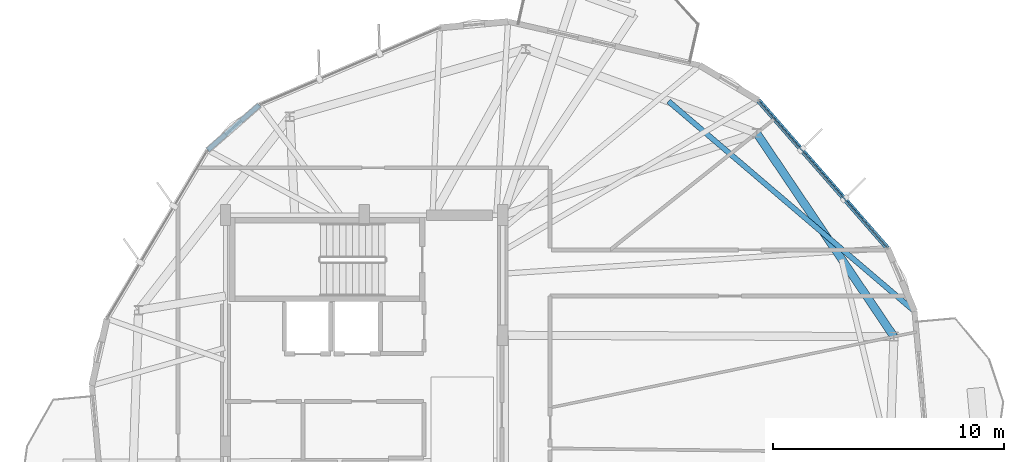
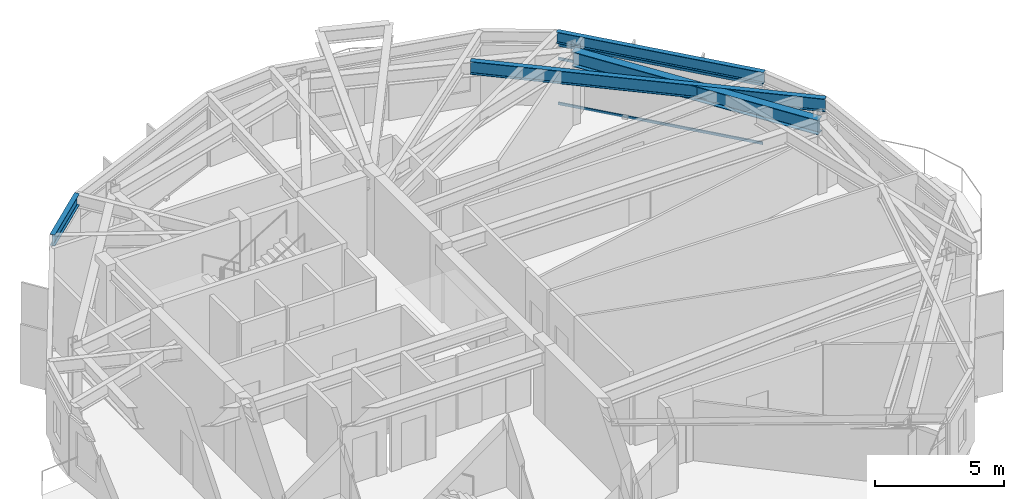
# One storey, part 13 of 23: 4 beams, 3 members, 1 element without a shape of its own.
"""IFC4 building model written with IfcOpenShell, lengths in metres."""

from ifc_helpers import new_model, si_unit, direction, frame, origin, origin_2d, place, context, subcontext, project, spatial, hollow_rectangle, i_section, extrude, material, layer, layer_set, material_profile, profile_set, type_object, element, aggregate, save


model = new_model("IFC4")

# Units and contexts
model_context = context("Model", 3, precision=1e-05, world=origin(), true_north=direction((0.0, 1.0)))
body_context = subcontext(model_context, "Body", "Model", "MODEL_VIEW")
ifc_project = project(units=[si_unit("LENGTHUNIT", "METRE"), si_unit("AREAUNIT", "SQUARE_METRE"), si_unit("VOLUMEUNIT", "CUBIC_METRE"), si_unit("PLANEANGLEUNIT", "RADIAN"), si_unit("MASSUNIT", "GRAM", prefix="KILO")], contexts=[model_context])

# Site, building, storey
site_placement = place(None, origin())
site = spatial("IfcSite", under=ifc_project, at=site_placement, CompositionType="ELEMENT")
building_placement = place(site_placement, origin())
building = spatial("IfcBuilding", under=site, at=building_placement, Name="Soratama Intermodal Tower", CompositionType="ELEMENT")
storey_placement = place(building_placement, frame((0.0, 0.0, 250.0)))
storey = spatial("IfcBuildingStorey", under=building, at=storey_placement, Name="L63", CompositionType="ELEMENT", Elevation=250.0)

# Beams
ifc_material_1 = material(Name="Structural steel ASTM A992 Grade 50", Category="steel")
ifc_material_profile_1 = material_profile(ifc_material_1, i_section(OverallWidth=0.35498046875, OverallDepth=0.695068359375, WebThickness=0.015380859375, FlangeThickness=0.02490234375, FilletRadius=0.01611328125, at=origin_2d()), Name="W27X146")
ifc_profile_set_1 = profile_set([ifc_material_profile_1], Name="Structural steel ASTM A992 Grade 50")
beam_type_1 = type_object("IfcBeamType", Name="BM-RING-W27X146", PredefinedType="BEAM", material=ifc_profile_set_1)
beam_1_placement = place(storey_placement, frame((61.533935546875, 29.740966796875, 3.1025390625), z_axis=(-0.559218025165, 0.829020627204, 0.0), x_axis=(-0.829020627204, -0.559218025165, 0.0)))
element("IfcBeam", 1, at=beam_1_placement, inside=storey, type_object=beam_type_1, Name="BM-L63-RING-01", PredefinedType="BEAM", context=body_context, shape_type="SweptSolid", body=[
    extrude(i_section(OverallWidth=0.35498046875, OverallDepth=0.695068359375, WebThickness=0.015380859375, FlangeThickness=0.02490234375, FilletRadius=0.01611328125, at=origin_2d()), origin(), (0.0, 0.0, 1.0), 10.630615234375),
])
ifc_material_2 = material(Name="Structural steel ASTM A992 Grade 50", Category="steel")
ifc_material_profile_2 = material_profile(ifc_material_2, i_section(OverallWidth=0.2099609375, OverallDepth=0.537109375, WebThickness=0.010986328125, FlangeThickness=0.017333984375, FilletRadius=0.012939453125, at=origin_2d()), Name="W21X68")
ifc_profile_set_2 = profile_set([ifc_material_profile_2], Name="Structural steel ASTM A992 Grade 50")
beam_type_2 = type_object("IfcBeamType", Name="BM-SPN-W21X68", PredefinedType="SPANDREL", material=ifc_profile_set_2)
beam_2_placement = place(storey_placement, frame((34.06005859375, 39.76708984375, 3.181396484375), z_axis=(-0.752887639786, -0.658149072671, 0.0), x_axis=(0.658149072671, -0.752887639786, 0.0)))
element("IfcBeam", 2, at=beam_2_placement, inside=storey, type_object=beam_type_2, Name="BS-L63-CRN02", PredefinedType="SPANDREL", context=body_context, shape_type="SweptSolid", body=[
    extrude(i_section(OverallWidth=0.2099609375, OverallDepth=0.537109375, WebThickness=0.010986328125, FlangeThickness=0.017333984375, FilletRadius=0.012939453125, at=origin_2d()), origin(), (0.0, 0.0, 1.0), 2.966064453125),
])
beam_3_placement = place(storey_placement, frame((61.258056640625, 33.568115234375, 3.181396484375), z_axis=(-0.658110033005, 0.752921765164, 0.0), x_axis=(-0.752921765164, -0.658110033005, 0.0)))
element("IfcBeam", 3, at=beam_3_placement, inside=storey, type_object=beam_type_2, Name="BS-L63-F10", PredefinedType="SPANDREL", context=body_context, shape_type="SweptSolid", body=[
    extrude(i_section(OverallWidth=0.2099609375, OverallDepth=0.537109375, WebThickness=0.010986328125, FlangeThickness=0.017333984375, FilletRadius=0.012939453125, at=origin_2d()), origin(), (0.0, 0.0, 1.0), 8.5),
])
ifc_material_3 = material(Name="Structural steel ASTM A992 Grade 50", Category="steel")
ifc_material_profile_3 = material_profile(ifc_material_3, i_section(OverallWidth=0.22900390625, OverallDepth=0.612060546875, WebThickness=0.011962890625, FlangeThickness=0.01953125, FilletRadius=0.012939453125, at=origin_2d()), Name="W24X84")
ifc_profile_set_3 = profile_set([ifc_material_profile_3], Name="Structural steel ASTM A992 Grade 50")
beam_type_3 = type_object("IfcBeamType", Name="BM-TIE-W24X84", PredefinedType="BEAM", material=ifc_profile_set_3)
beam_4_placement = place(storey_placement, frame((51.77490234375, 39.927001953125, 3.14404296875), z_axis=(0.76076379649, -0.649028848318, 0.0), x_axis=(0.649028848318, 0.76076379649, 0.0)))
element("IfcBeam", 4, at=beam_4_placement, inside=storey, type_object=beam_type_3, Name="BM-L63-TIE1-09", PredefinedType="BEAM", context=body_context, shape_type="SweptSolid", body=[
    extrude(i_section(OverallWidth=0.22900390625, OverallDepth=0.612060546875, WebThickness=0.011962890625, FlangeThickness=0.01953125, FilletRadius=0.012939453125, at=origin_2d()), origin(), (0.0, 0.0, 1.0), 13.999267578125),
])

# Curtain wall, members
ifc_material_4 = material(Name="Double-glazed aluminium curtain wall", Category="aluminium")
ifc_layer = layer(ifc_material_4, 0.159912109375)
ifc_layer_set = layer_set([ifc_layer], Name="Double-glazed aluminium curtain wall")
curtain_wall_type = type_object("IfcCurtainWallType", Name="CW-SYS-5", PredefinedType="NOTDEFINED", material=ifc_layer_set)
curtain_wall_placement = place(storey_placement, origin())
curtain_wall = element("IfcCurtainWall", 5, at=curtain_wall_placement, inside=storey, type_object=curtain_wall_type, Name="L63 Faceted Curtain Wall F10", PredefinedType="NOTDEFINED")
ifc_material_5 = material(Name="Anodised aluminium AA 6063-T6", Category="aluminium")
ifc_material_profile_4 = material_profile(ifc_material_5, hollow_rectangle(XDim=0.06005859375, YDim=0.1298828125, WallThickness=0.0048828125, InnerFilletRadius=0.0048828125, OuterFilletRadius=0.010009765625, at=origin_2d()), Name="CWT130X60X5")
ifc_profile_set_4 = profile_set([ifc_material_profile_4], Name="Anodised aluminium AA 6063-T6")
member_type = type_object("IfcMemberType", Name="TT-CWT-2", PredefinedType="USERDEFINED", material=ifc_profile_set_4)
member_1_placement = place(storey_placement, frame((61.218994140625, 33.61328125, 0.030029296875), z_axis=(-0.658162152866, 0.752876205319, 0.0), x_axis=(-0.752876205319, -0.658162152866, 0.0)))
member_1 = element("IfcMember", 6, at=member_1_placement, type_object=member_type, Name="CW-5 transom 1.1", ObjectType="TRANSOM", PredefinedType="USERDEFINED", context=body_context, shape_type="SweptSolid", body=[
    extrude(hollow_rectangle(XDim=0.06005859375, YDim=0.1298828125, WallThickness=0.0048828125, InnerFilletRadius=0.0048828125, OuterFilletRadius=0.010009765625, at=origin_2d()), origin(), (0.0, 0.0, 1.0), 8.3798828125),
])
member_2_placement = place(storey_placement, frame((61.218994140625, 33.61328125, 2.14990234375), z_axis=(-0.658162152866, 0.752876205319, 0.0), x_axis=(-0.752876205319, -0.658162152866, 0.0)))
member_2 = element("IfcMember", 7, at=member_2_placement, type_object=member_type, Name="CW-5 transom 1.2", ObjectType="TRANSOM", PredefinedType="USERDEFINED", context=body_context, shape_type="SweptSolid", body=[
    extrude(hollow_rectangle(XDim=0.06005859375, YDim=0.1298828125, WallThickness=0.0048828125, InnerFilletRadius=0.0048828125, OuterFilletRadius=0.010009765625, at=origin_2d()), origin(), (0.0, 0.0, 1.0), 8.3798828125),
])
member_3_placement = place(storey_placement, frame((61.218994140625, 33.61328125, 2.799072265625), z_axis=(-0.658162152866, 0.752876205319, 0.0), x_axis=(-0.752876205319, -0.658162152866, 0.0)))
member_3 = element("IfcMember", 8, at=member_3_placement, type_object=member_type, Name="CW-5 transom 1.3", ObjectType="TRANSOM", PredefinedType="USERDEFINED", context=body_context, shape_type="SweptSolid", body=[
    extrude(hollow_rectangle(XDim=0.06005859375, YDim=0.1298828125, WallThickness=0.0048828125, InnerFilletRadius=0.0048828125, OuterFilletRadius=0.010009765625, at=origin_2d()), origin(), (0.0, 0.0, 1.0), 8.3798828125),
])
aggregate(curtain_wall, [member_1, member_2, member_3])

save(model, "model.ifc")
